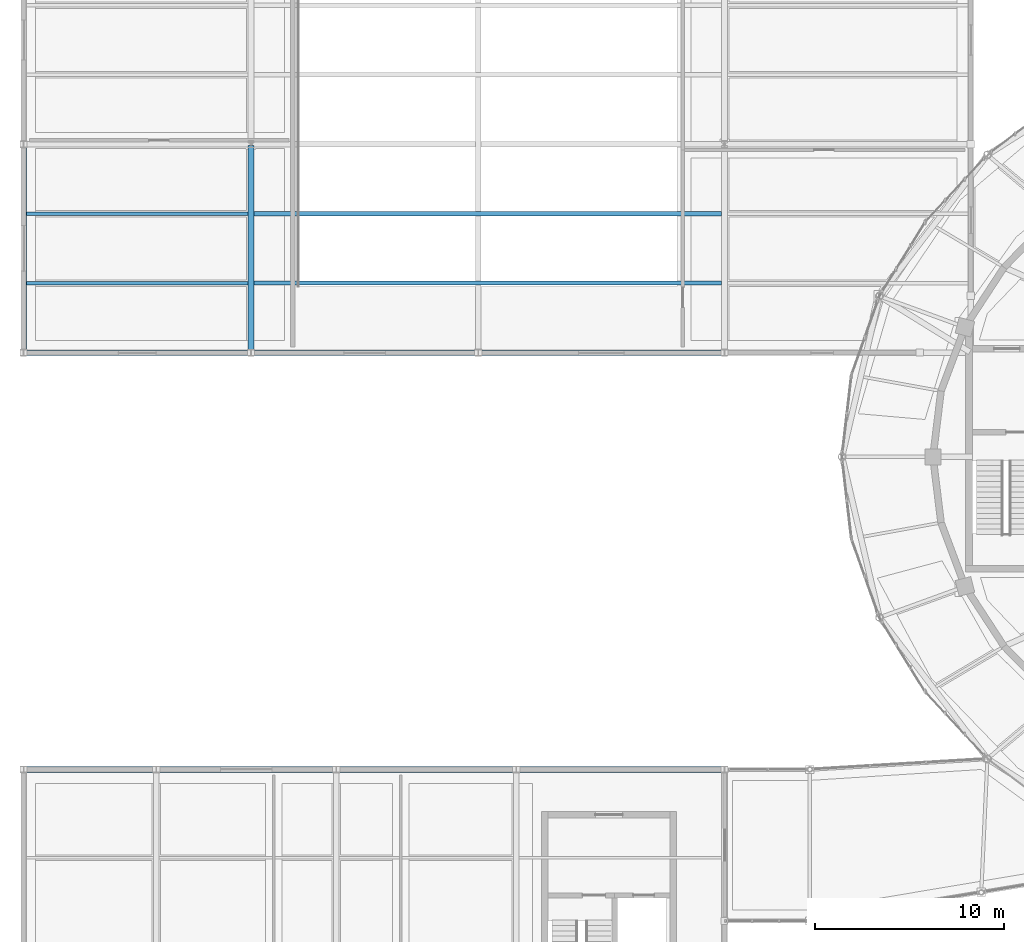
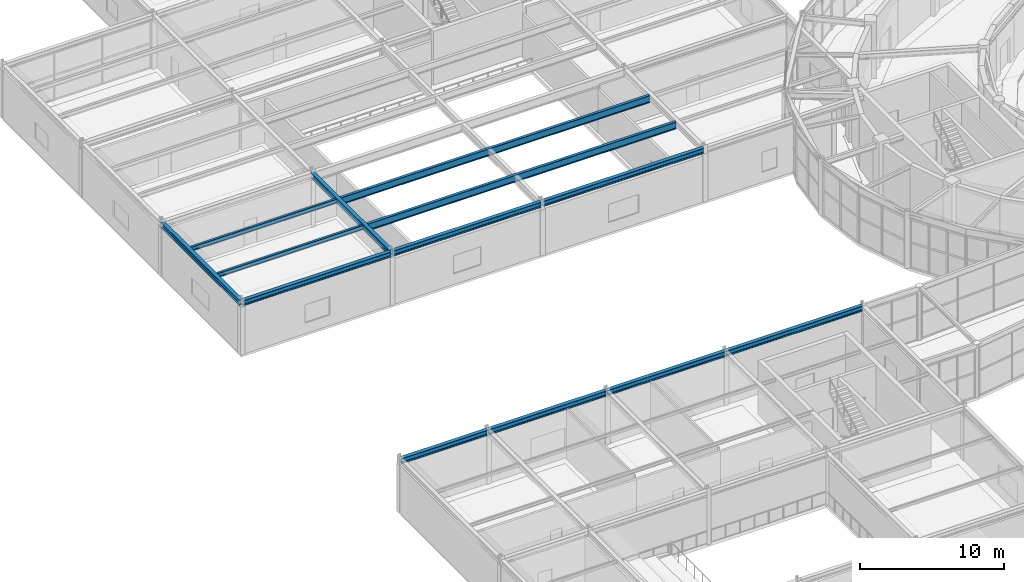
# One storey, part 23 of 100: 13 beams.
"""IFC4 building model written with IfcOpenShell, lengths in metres."""

from ifc_helpers import new_model, si_unit, direction, frame, origin, origin_2d, place, context, subcontext, project, spatial, i_section, extrude, material, material_profile, profile_set, type_object, element, save


model = new_model("IFC4")

# Units and contexts
model_context = context("Model", 3, precision=1e-05, world=origin(), true_north=direction((0.0, 1.0)))
body_context = subcontext(model_context, "Body", "Model", "MODEL_VIEW")
ifc_project = project(units=[si_unit("LENGTHUNIT", "METRE"), si_unit("AREAUNIT", "SQUARE_METRE"), si_unit("VOLUMEUNIT", "CUBIC_METRE"), si_unit("PLANEANGLEUNIT", "RADIAN"), si_unit("MASSUNIT", "GRAM", prefix="KILO")], contexts=[model_context])

# Site, building, storey
site_placement = place(None, origin())
site = spatial("IfcSite", under=ifc_project, at=site_placement, CompositionType="ELEMENT")
building_placement = place(site_placement, origin())
building = spatial("IfcBuilding", under=site, at=building_placement, Name="Tarnveldt Headland Concert Hall", CompositionType="ELEMENT")
storey_placement = place(building_placement, frame((0.0, 0.0, 4.800048828125)))
storey = spatial("IfcBuildingStorey", under=building, at=storey_placement, Name="L01", CompositionType="ELEMENT", Elevation=4.800048828125)

# Beams
ifc_material = material(Name="Steel S355", Category="steel")
ifc_material_profile_1 = material_profile(ifc_material, i_section(OverallWidth=0.300048828125, OverallDepth=0.449951171875, WebThickness=0.013916015625, FlangeThickness=0.02587890625, FilletRadius=0.027099609375, at=origin_2d()), Name="HEB450", Category="steel")
ifc_profile_set_1 = profile_set([ifc_material_profile_1], Name="Steel S355")
beam_type_1 = type_object("IfcBeamType", Name="SB-HEB450", PredefinedType="BEAM", material=ifc_profile_set_1)
beam_1_placement = place(storey_placement, frame((7.550048828125, 38.0, 4.31494140625), z_axis=(1.0, 0.0, 0.0), x_axis=(0.0, 1.0, 0.0)))
element("IfcBeam", 1, at=beam_1_placement, inside=storey, type_object=beam_type_1, Name="Framing beam L01-876", PredefinedType="BEAM", context=body_context, shape_type="SweptSolid", body=[
    extrude(i_section(OverallWidth=0.300048828125, OverallDepth=0.449951171875, WebThickness=0.013916015625, FlangeThickness=0.02587890625, FilletRadius=0.027099609375, at=origin_2d()), origin(), (0.0, 0.0, 1.0), 6.89990234375),
])
for number, where, z_axis, x_axis, name in (
    (2, (14.550048828125, 38.0, 4.31494140625), (1.0, 0.0, 0.0), (0.0, 1.0, 0.0), "Framing beam L01-877"),
    (3, (24.050048828125, 38.0, 4.31494140625), (1.0, 0.0, 0.0), (0.0, 1.0, 0.0), "Framing beam L01-878"),
):
    element("IfcBeam", number, at=place(storey_placement, frame(where, z_axis=z_axis, x_axis=x_axis)), inside=storey, type_object=beam_type_1, Name=name, PredefinedType="BEAM", context=body_context, shape_type="SweptSolid", body=[
        extrude(i_section(OverallWidth=0.300048828125, OverallDepth=0.449951171875, WebThickness=0.013916015625, FlangeThickness=0.02587890625, FilletRadius=0.027099609375, at=origin_2d()), origin(), (0.0, 0.0, 1.0), 9.39990234375),
    ])
beam_2_placement = place(storey_placement, frame((33.550048828125, 38.0, 4.31494140625), z_axis=(1.0, 0.0, 0.0), x_axis=(0.0, 1.0, 0.0)))
element("IfcBeam", 4, at=beam_2_placement, inside=storey, type_object=beam_type_1, Name="Framing beam L01-879", PredefinedType="BEAM", context=body_context, shape_type="SweptSolid", body=[
    extrude(i_section(OverallWidth=0.300048828125, OverallDepth=0.449951171875, WebThickness=0.013916015625, FlangeThickness=0.02587890625, FilletRadius=0.027099609375, at=origin_2d()), origin(), (0.0, 0.0, 1.0), 10.89990234375),
])
for number, where, z_axis, x_axis, name in (
    (5, (7.56005859375, 60.0, 4.31494140625), (1.0, 0.0, 0.0), (0.0, 1.0, 0.0), "Framing beam L01-917"),
    (6, (19.56005859375, 60.0, 4.31494140625), (1.0, 0.0, 0.0), (0.0, 1.0, 0.0), "Framing beam L01-918"),
):
    element("IfcBeam", number, at=place(storey_placement, frame(where, z_axis=z_axis, x_axis=x_axis)), inside=storey, type_object=beam_type_1, Name=name, PredefinedType="BEAM", context=body_context, shape_type="SweptSolid", body=[
        extrude(i_section(OverallWidth=0.300048828125, OverallDepth=0.449951171875, WebThickness=0.013916015625, FlangeThickness=0.02587890625, FilletRadius=0.027099609375, at=origin_2d()), origin(), (0.0, 0.0, 1.0), 11.8798828125),
    ])
beam_3_placement = place(storey_placement, frame((31.56005859375, 60.0, 4.31494140625), z_axis=(1.0, 0.0, 0.0), x_axis=(0.0, 1.0, 0.0)))
element("IfcBeam", 7, at=beam_3_placement, inside=storey, type_object=beam_type_1, Name="Framing beam L01-919", PredefinedType="BEAM", context=body_context, shape_type="SweptSolid", body=[
    extrude(i_section(OverallWidth=0.300048828125, OverallDepth=0.449951171875, WebThickness=0.013916015625, FlangeThickness=0.02587890625, FilletRadius=0.027099609375, at=origin_2d()), origin(), (0.0, 0.0, 1.0), 12.8798828125),
])
for number, where, z_axis, x_axis, name in (
    (8, (7.5, 60.06005859375, 4.31494140625), (0.0, 1.0, 0.0), (-1.0, 0.0, 0.0), "Framing beam L01-939"),
    (9, (19.5, 60.06005859375, 4.31494140625), (0.0, 1.0, 0.0), (-1.0, 0.0, 0.0), "Framing beam L01-948"),
):
    element("IfcBeam", number, at=place(storey_placement, frame(where, z_axis=z_axis, x_axis=x_axis)), inside=storey, type_object=beam_type_1, Name=name, PredefinedType="BEAM", context=body_context, shape_type="SweptSolid", body=[
        extrude(i_section(OverallWidth=0.300048828125, OverallDepth=0.449951171875, WebThickness=0.013916015625, FlangeThickness=0.02587890625, FilletRadius=0.027099609375, at=origin_2d()), origin(), (0.0, 0.0, 1.0), 10.8798828125),
    ])
ifc_material_profile_2 = material_profile(ifc_material, i_section(OverallWidth=0.169921875, OverallDepth=0.360107421875, WebThickness=0.008056640625, FlangeThickness=0.0126953125, FilletRadius=0.01806640625, at=origin_2d()), Name="IPE360", Category="steel")
ifc_profile_set_2 = profile_set([ifc_material_profile_2], Name="Steel S355")
beam_type_2 = type_object("IfcBeamType", Name="SB-IPE360", PredefinedType="JOIST", material=ifc_profile_set_2)
for number, where, z_axis, x_axis, name in (
    (10, (7.64990234375, 63.6669921875, 4.35986328125), (1.0, 0.0, 0.0), (0.0, 1.0, 0.0), "Framing beam L01-940"),
    (11, (7.64990234375, 67.3330078125, 4.35986328125), (1.0, 0.0, 0.0), (0.0, 1.0, 0.0), "Framing beam L01-941"),
):
    element("IfcBeam", number, at=place(storey_placement, frame(where, z_axis=z_axis, x_axis=x_axis)), inside=storey, type_object=beam_type_2, Name=name, PredefinedType="JOIST", context=body_context, shape_type="SweptSolid", body=[
        extrude(i_section(OverallWidth=0.169921875, OverallDepth=0.360107421875, WebThickness=0.008056640625, FlangeThickness=0.0126953125, FilletRadius=0.01806640625, at=origin_2d()), origin(), (0.0, 0.0, 1.0), 11.7001953125),
    ])
ifc_material_profile_3 = material_profile(ifc_material, i_section(OverallWidth=0.219970703125, OverallDepth=0.60009765625, WebThickness=0.011962890625, FlangeThickness=0.01904296875, FilletRadius=0.02392578125, at=origin_2d()), Name="IPE600", Category="steel")
ifc_profile_set_3 = profile_set([ifc_material_profile_3], Name="Steel S355")
beam_type_3 = type_object("IfcBeamType", Name="SB-IPE600", PredefinedType="BEAM", material=ifc_profile_set_3)
for number, where, z_axis, x_axis, name in (
    (12, (19.64990234375, 63.6669921875, 4.239990234375), (1.0, 0.0, 0.0), (0.0, 1.0, 0.0), "Framing beam L01-949"),
    (13, (19.64990234375, 67.3330078125, 4.239990234375), (1.0, 0.0, 0.0), (0.0, 1.0, 0.0), "Framing beam L01-950"),
):
    element("IfcBeam", number, at=place(storey_placement, frame(where, z_axis=z_axis, x_axis=x_axis)), inside=storey, type_object=beam_type_3, Name=name, PredefinedType="BEAM", context=body_context, shape_type="SweptSolid", body=[
        extrude(i_section(OverallWidth=0.219970703125, OverallDepth=0.60009765625, WebThickness=0.011962890625, FlangeThickness=0.01904296875, FilletRadius=0.02392578125, at=origin_2d()), origin(), (0.0, 0.0, 1.0), 24.7001953125),
    ])

save(model, "model.ifc")
